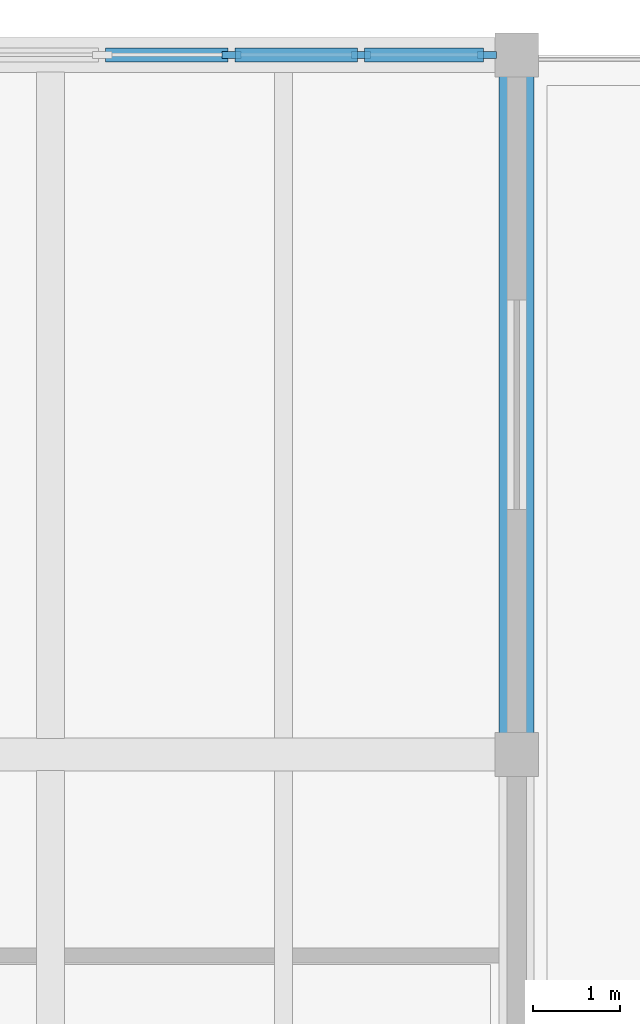
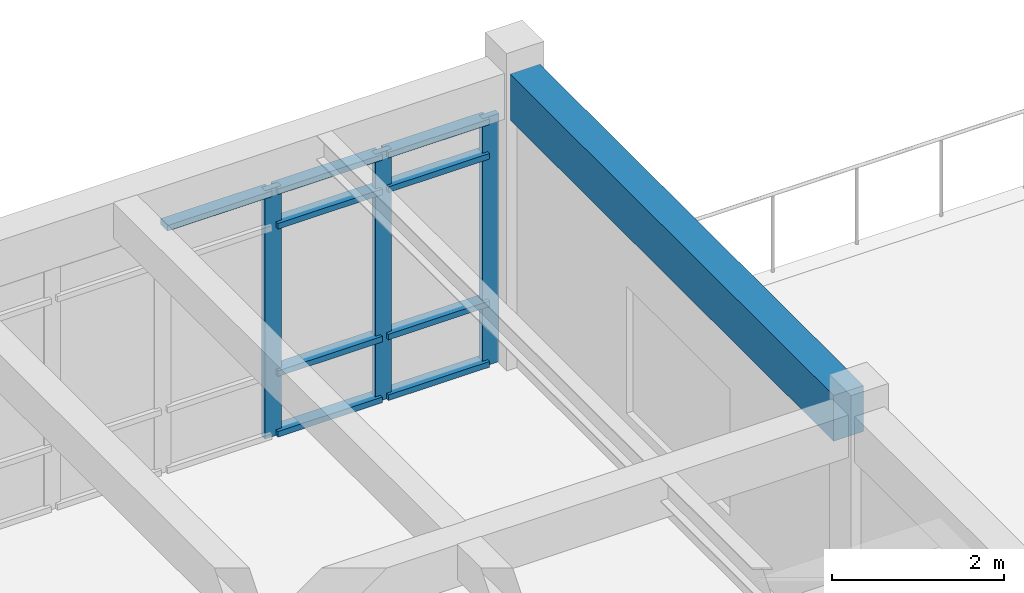
# One storey, part 30 of 72: 12 members, 1 beam, 1 element without a shape of its own.
"""IFC4 building model written with IfcOpenShell, lengths in metres."""

from ifc_helpers import new_model, si_unit, direction, frame, origin, origin_2d, place, context, subcontext, project, spatial, rectangle, extrude, material, material_profile, profile_set, type_object, element, aggregate, save


model = new_model("IFC4")

# Units and contexts
model_context = context("Model", 3, precision=1e-05, world=origin(), true_north=direction((0.0, 1.0)))
body_context = subcontext(model_context, "Body", "Model", "MODEL_VIEW")
ifc_project = project(units=[si_unit("LENGTHUNIT", "METRE"), si_unit("AREAUNIT", "SQUARE_METRE"), si_unit("VOLUMEUNIT", "CUBIC_METRE"), si_unit("PLANEANGLEUNIT", "RADIAN"), si_unit("MASSUNIT", "GRAM", prefix="KILO")], contexts=[model_context])

# Site, building, storey
site_placement = place(None, origin())
site = spatial("IfcSite", under=ifc_project, at=site_placement, CompositionType="ELEMENT")
building_placement = place(site_placement, origin())
building = spatial("IfcBuilding", under=site, at=building_placement, Name="Tlaxcora Railside Police Headquarters", CompositionType="ELEMENT")
storey_placement = place(building_placement, frame((0.0, 0.0, 13.5)))
storey = spatial("IfcBuildingStorey", under=building, at=storey_placement, Name="L03", CompositionType="ELEMENT", Elevation=13.5)

# Curtain wall, members
ifc_material_1 = material(Name="Thermally broken low-E insulated glazing", Category="glass")
curtain_wall_type = type_object("IfcCurtainWallType", Name="Unitised Curtain Wall Assembly CW-23", PredefinedType="NOTDEFINED", material=ifc_material_1)
curtain_wall_placement = place(storey_placement, origin())
curtain_wall = element("IfcCurtainWall", 1, at=curtain_wall_placement, inside=storey, type_object=curtain_wall_type, Name="V6 L03 curtain wall 168", PredefinedType="NOTDEFINED")
ifc_material_2 = material(Name="Anodised aluminium framing", Category="aluminium")
ifc_material_profile_1 = material_profile(ifc_material_2, rectangle(XDim=0.080078125, YDim=0.219970703125, at=origin_2d()), Name="AL80X220")
ifc_profile_set_1 = profile_set([ifc_material_profile_1], Name="Anodised aluminium framing")
member_type_1 = type_object("IfcMemberType", Name="Curtain Wall Mullion CW-31", PredefinedType="MULLION", material=ifc_profile_set_1)
member_1_placement = place(storey_placement, frame((150.4599609375, 92.800048828125, 0.0), z_axis=(0.0, 0.0, 1.0), x_axis=(0.0, -1.0, 0.0)))
member_1 = element("IfcMember", 2, at=member_1_placement, type_object=member_type_1, Name="CW mullion 1", PredefinedType="MULLION", context=body_context, shape_type="SweptSolid", body=[
    extrude(rectangle(XDim=0.080078125, YDim=0.219970703125, at=origin_2d()), origin(), (0.0, 0.0, 1.0), 3.52001953125),
])
member_2_placement = place(storey_placement, frame((149.02001953125, 92.800048828125, 0.0), z_axis=(0.0, 0.0, 1.0), x_axis=(0.0, -1.0, 0.0)))
member_2 = element("IfcMember", 3, at=member_2_placement, type_object=member_type_1, Name="CW mullion 2", PredefinedType="MULLION", context=body_context, shape_type="SweptSolid", body=[
    extrude(rectangle(XDim=0.080078125, YDim=0.219970703125, at=origin_2d()), origin(), (0.0, 0.0, 1.0), 3.52001953125),
])
member_3_placement = place(storey_placement, frame((147.5400390625, 92.800048828125, 0.0), z_axis=(0.0, 0.0, 1.0), x_axis=(0.0, -1.0, 0.0)))
member_3 = element("IfcMember", 4, at=member_3_placement, type_object=member_type_1, Name="CW mullion 3", PredefinedType="MULLION", context=body_context, shape_type="SweptSolid", body=[
    extrude(rectangle(XDim=0.080078125, YDim=0.219970703125, at=origin_2d()), origin(), (0.0, 0.0, 1.0), 3.52001953125),
])
ifc_material_profile_2 = material_profile(ifc_material_2, rectangle(XDim=0.1650390625, YDim=0.080078125, at=origin_2d()), Name="AL80X165")
ifc_profile_set_2 = profile_set([ifc_material_profile_2], Name="Anodised aluminium framing")
member_type_2 = type_object("IfcMemberType", Name="Curtain Wall Transom CW-62", PredefinedType="USERDEFINED", material=ifc_profile_set_2)
member_4_placement = place(storey_placement, frame((150.419921875, 92.800048828125, 0.0400390625), z_axis=(-1.0, 0.0, 0.0), x_axis=(0.0, -1.0, 0.0)))
member_4 = element("IfcMember", 5, at=member_4_placement, type_object=member_type_2, Name="CW transom 1.1", ObjectType="TRANSOM", PredefinedType="USERDEFINED", context=body_context, shape_type="SweptSolid", body=[
    extrude(rectangle(XDim=0.1650390625, YDim=0.080078125, at=origin_2d()), origin(), (0.0, 0.0, 1.0), 1.35986328125),
])
member_5_placement = place(storey_placement, frame((150.419921875, 92.800048828125, 0.89990234375), z_axis=(-1.0, 0.0, 0.0), x_axis=(0.0, -1.0, 0.0)))
member_5 = element("IfcMember", 6, at=member_5_placement, type_object=member_type_2, Name="CW transom 1.2", ObjectType="TRANSOM", PredefinedType="USERDEFINED", context=body_context, shape_type="SweptSolid", body=[
    extrude(rectangle(XDim=0.1650390625, YDim=0.080078125, at=origin_2d()), origin(), (0.0, 0.0, 1.0), 1.35986328125),
])
member_6_placement = place(storey_placement, frame((150.419921875, 92.800048828125, 2.989990234375), z_axis=(-1.0, 0.0, 0.0), x_axis=(0.0, -1.0, 0.0)))
member_6 = element("IfcMember", 7, at=member_6_placement, type_object=member_type_2, Name="CW transom 1.3", ObjectType="TRANSOM", PredefinedType="USERDEFINED", context=body_context, shape_type="SweptSolid", body=[
    extrude(rectangle(XDim=0.1650390625, YDim=0.080078125, at=origin_2d()), origin(), (0.0, 0.0, 1.0), 1.35986328125),
])
member_7_placement = place(storey_placement, frame((150.419921875, 92.800048828125, 3.47998046875), z_axis=(-1.0, 0.0, 0.0), x_axis=(0.0, -1.0, 0.0)))
member_7 = element("IfcMember", 8, at=member_7_placement, type_object=member_type_2, Name="CW transom 1.4", ObjectType="TRANSOM", PredefinedType="USERDEFINED", context=body_context, shape_type="SweptSolid", body=[
    extrude(rectangle(XDim=0.1650390625, YDim=0.080078125, at=origin_2d()), origin(), (0.0, 0.0, 1.0), 1.35986328125),
])
member_8_placement = place(storey_placement, frame((148.97998046875, 92.800048828125, 0.0400390625), z_axis=(-1.0, 0.0, 0.0), x_axis=(0.0, -1.0, 0.0)))
member_8 = element("IfcMember", 9, at=member_8_placement, type_object=member_type_2, Name="CW transom 2.1", ObjectType="TRANSOM", PredefinedType="USERDEFINED", context=body_context, shape_type="SweptSolid", body=[
    extrude(rectangle(XDim=0.1650390625, YDim=0.080078125, at=origin_2d()), origin(), (0.0, 0.0, 1.0), 1.39990234375),
])
member_9_placement = place(storey_placement, frame((148.97998046875, 92.800048828125, 0.89990234375), z_axis=(-1.0, 0.0, 0.0), x_axis=(0.0, -1.0, 0.0)))
member_9 = element("IfcMember", 10, at=member_9_placement, type_object=member_type_2, Name="CW transom 2.2", ObjectType="TRANSOM", PredefinedType="USERDEFINED", context=body_context, shape_type="SweptSolid", body=[
    extrude(rectangle(XDim=0.1650390625, YDim=0.080078125, at=origin_2d()), origin(), (0.0, 0.0, 1.0), 1.39990234375),
])
member_10_placement = place(storey_placement, frame((148.97998046875, 92.800048828125, 2.989990234375), z_axis=(-1.0, 0.0, 0.0), x_axis=(0.0, -1.0, 0.0)))
member_10 = element("IfcMember", 11, at=member_10_placement, type_object=member_type_2, Name="CW transom 2.3", ObjectType="TRANSOM", PredefinedType="USERDEFINED", context=body_context, shape_type="SweptSolid", body=[
    extrude(rectangle(XDim=0.1650390625, YDim=0.080078125, at=origin_2d()), origin(), (0.0, 0.0, 1.0), 1.39990234375),
])
member_11_placement = place(storey_placement, frame((148.97998046875, 92.800048828125, 3.47998046875), z_axis=(-1.0, 0.0, 0.0), x_axis=(0.0, -1.0, 0.0)))
member_11 = element("IfcMember", 12, at=member_11_placement, type_object=member_type_2, Name="CW transom 2.4", ObjectType="TRANSOM", PredefinedType="USERDEFINED", context=body_context, shape_type="SweptSolid", body=[
    extrude(rectangle(XDim=0.1650390625, YDim=0.080078125, at=origin_2d()), origin(), (0.0, 0.0, 1.0), 1.39990234375),
])
member_12_placement = place(storey_placement, frame((147.5, 92.800048828125, 3.47998046875), z_axis=(-1.0, 0.0, 0.0), x_axis=(0.0, -1.0, 0.0)))
member_12 = element("IfcMember", 13, at=member_12_placement, type_object=member_type_2, Name="CW transom 3.4", ObjectType="TRANSOM", PredefinedType="USERDEFINED", context=body_context, shape_type="SweptSolid", body=[
    extrude(rectangle(XDim=0.1650390625, YDim=0.080078125, at=origin_2d()), origin(), (0.0, 0.0, 1.0), 1.39990234375),
])
aggregate(curtain_wall, [member_1, member_2, member_3, member_4, member_5, member_6, member_7, member_8, member_9, member_10, member_11, member_12])

# Beam
ifc_material_3 = material(Name="Concrete C40/50", Category="concrete")
ifc_material_profile_3 = material_profile(ifc_material_3, rectangle(XDim=0.39990234375, YDim=0.64990234375, at=origin_2d()), Name="RC400X650")
ifc_profile_set_3 = profile_set([ifc_material_profile_3], Name="Concrete C40/50")
beam_type = type_object("IfcBeamType", Name="Perimeter Spandrel Beam BM-46", PredefinedType="SPANDREL", material=ifc_profile_set_3)
beam_placement = place(storey_placement, frame((150.800048828125, 85.0400390625, 3.864990234375), z_axis=(0.0, 1.0, 0.0), x_axis=(-1.0, 0.0, 0.0)))
element("IfcBeam", 14, at=beam_placement, inside=storey, type_object=beam_type, Name="V6 L03 Y-girder X=150.8", PredefinedType="SPANDREL", context=body_context, shape_type="SweptSolid", body=[
    extrude(rectangle(XDim=0.39990234375, YDim=0.64990234375, at=origin_2d()), origin(), (0.0, 0.0, 1.0), 7.52001953125),
])

save(model, "model.ifc")
